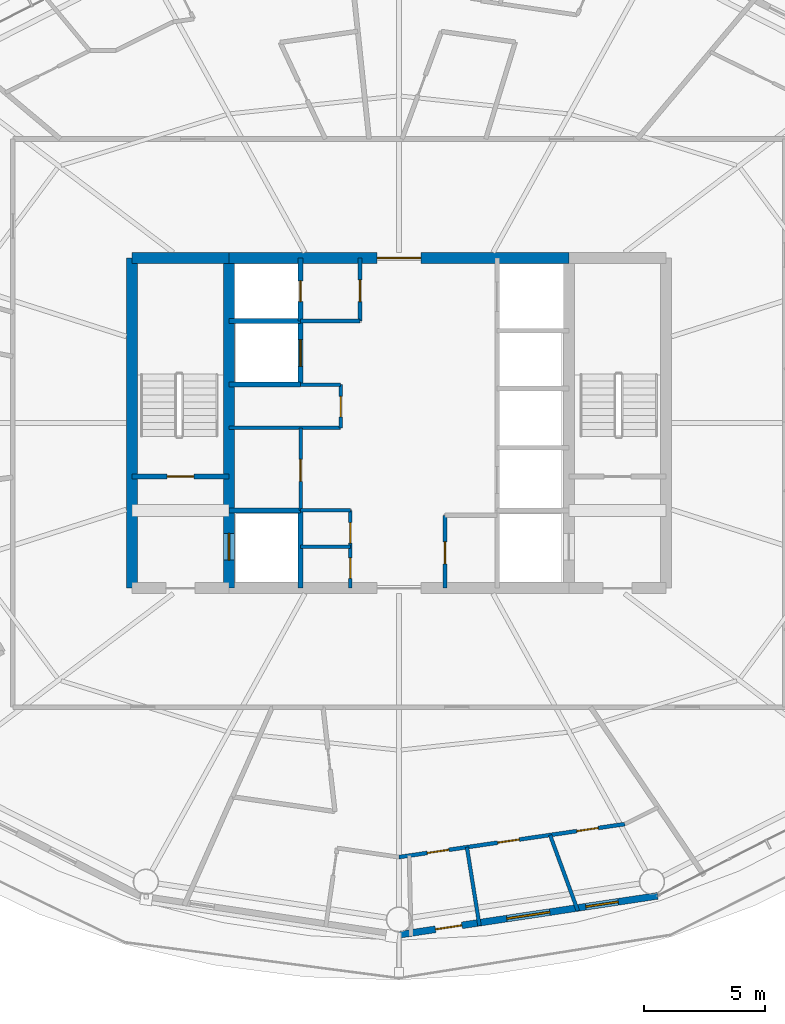
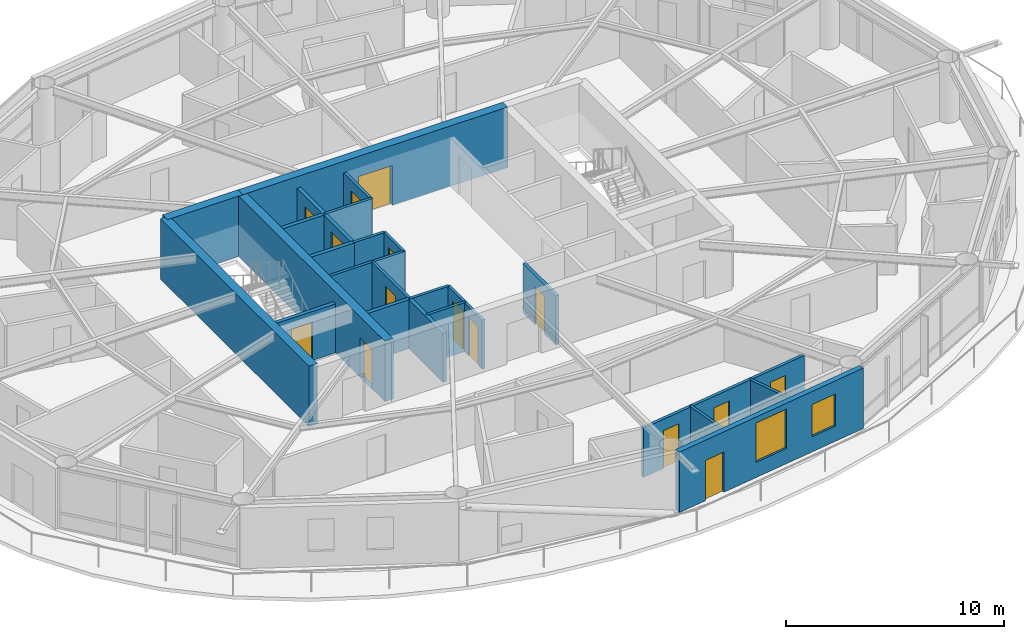
# One storey, part 21 of 28: 25 walls, 15 doors, 2 windows, 17 openings.
"""IFC4 building model written with IfcOpenShell, lengths in metres."""

from ifc_helpers import new_model, si_unit, direction, frame, frame_2d, origin, place, context, subcontext, project, spatial, rectangle, extrude, material, layer, layer_set, type_object, element, fill, save


model = new_model("IFC4")

# Units and contexts
model_context = context("Model", 3, precision=1e-05, world=origin(), true_north=direction((0.0, 1.0)))
body_context = subcontext(model_context, "Body", "Model", "MODEL_VIEW")
ifc_project = project(units=[si_unit("LENGTHUNIT", "METRE"), si_unit("AREAUNIT", "SQUARE_METRE"), si_unit("VOLUMEUNIT", "CUBIC_METRE"), si_unit("PLANEANGLEUNIT", "RADIAN"), si_unit("MASSUNIT", "GRAM", prefix="KILO")], contexts=[model_context])

# Site, building, storey
site_placement = place(None, origin())
site = spatial("IfcSite", under=ifc_project, at=site_placement, CompositionType="ELEMENT")
building_placement = place(site_placement, origin())
building = spatial("IfcBuilding", under=site, at=building_placement, Name="Sarneth Arch Tower", CompositionType="ELEMENT")
storey_placement = place(building_placement, frame((0.0, 0.0, 172.199951171875)))
storey = spatial("IfcBuildingStorey", under=building, at=storey_placement, Name="L43", CompositionType="ELEMENT", Elevation=172.199951171875)

# Wall
ifc_material_1 = material(Name="Concrete C50/60", Category="concrete")
ifc_layer_1 = layer(ifc_material_1, 0.449951171875)
ifc_layer_set_1 = layer_set([ifc_layer_1], Name="Concrete C50/60")
wall_type_1 = type_object("IfcWallType", Name="WALL-CORE-450", PredefinedType="SHEAR", material=ifc_layer_set_1)
wall_1_placement = place(storey_placement, frame((37.0, 48.800048828125, 0.0), z_axis=(0.0, 0.0, 1.0), x_axis=(1.0, 0.0, 0.0)))
element("IfcWall", 1, at=wall_1_placement, inside=storey, type_object=wall_type_1, Name="L43 Core shear wall N-W", PredefinedType="SHEAR", context=body_context, shape_type="SweptSolid", body=[
    extrude(rectangle(XDim=4.0, YDim=0.449951171875, at=frame_2d((2.0, 0.0))), origin(), (0.0, 0.0, 1.0), 3.380126953125),
])

# Wall, opening, door
wall_2_placement = place(storey_placement, frame((41.0, 48.800048828125, 0.0), z_axis=(0.0, 0.0, 1.0), x_axis=(1.0, 0.0, 0.0)))
wall_2 = element("IfcWall", 2, at=wall_2_placement, inside=storey, type_object=wall_type_1, Name="L43 Core shear wall N-M", PredefinedType="SHEAR", context=body_context, shape_type="SweptSolid", body=[
    extrude(rectangle(XDim=14.0, YDim=0.449951171875, at=frame_2d((7.0, 0.0))), origin(), (0.0, 0.0, 1.0), 3.380126953125),
])
opening_1_placement = place(wall_2_placement, frame((6.10009765625, 0.0, 0.0)))
opening_1 = element("IfcOpeningElement", 3, at=opening_1_placement, cuts=wall_2, Name="Opening FD-01", PredefinedType="OPENING", context=body_context, shape_type="SweptSolid", body=[
    extrude(rectangle(XDim=1.800048828125, YDim=2.25, at=frame_2d((0.89990234375, 1.125))), frame((0.0, 0.23486328125, 0.0), z_axis=(0.0, -1.0, 0.0), x_axis=(1.0, 0.0, 0.0)), (0.0, 0.0, 1.0), 0.469970703125),
])
ifc_material_2 = material(Name="Galvanised Steel S275 fire door set", Category="steel")
door_type_1 = type_object("IfcDoorType", Name="DR-FD90-1800", OperationType="DOUBLE_DOOR_SINGLE_SWING", PredefinedType="DOOR", material=ifc_material_2)
door_1_placement = place(opening_1_placement, origin())
door_1 = element("IfcDoor", 4, at=door_1_placement, inside=storey, type_object=door_type_1, Name="L43 Central lift lobby north door", OperationType="DOUBLE_DOOR_SINGLE_SWING", OverallHeight=2.25, OverallWidth=1.800048828125, PredefinedType="DOOR", context=body_context, shape_type="SweptSolid", body=[
    extrude(rectangle(XDim=1.800048828125, YDim=2.25, at=frame_2d((0.89990234375, 1.125))), frame((0.0, 0.02490234375, 0.0), z_axis=(0.0, -1.0, 0.0), x_axis=(1.0, 0.0, 0.0)), (0.0, 0.0, 1.0), 0.050048828125),
])
fill(opening_1, door_1)

# Wall
wall_3_placement = place(storey_placement, frame((37.0, 35.199951171875, 0.0), z_axis=(0.0, 0.0, 1.0), x_axis=(0.0, 1.0, 0.0)))
element("IfcWall", 5, at=wall_3_placement, inside=storey, type_object=wall_type_1, Name="L43 Core shear wall W", PredefinedType="SHEAR", context=body_context, shape_type="SweptSolid", body=[
    extrude(rectangle(XDim=13.60009765625, YDim=0.449951171875, at=frame_2d((6.800048828125, 0.0))), origin(), (0.0, 0.0, 1.0), 3.380126953125),
])

# Wall, opening, door
wall_4_placement = place(storey_placement, frame((41.0, 35.199951171875, 0.0), z_axis=(0.0, 0.0, 1.0), x_axis=(0.0, 1.0, 0.0)))
wall_4 = element("IfcWall", 6, at=wall_4_placement, inside=storey, type_object=wall_type_1, Name="L43 Core shear wall WEB-W", PredefinedType="SHEAR", context=body_context, shape_type="SweptSolid", body=[
    extrude(rectangle(XDim=13.60009765625, YDim=0.449951171875, at=frame_2d((6.800048828125, 0.0))), origin(), (0.0, 0.0, 1.0), 3.380126953125),
])
opening_2_placement = place(wall_4_placement, frame((1.14990234375, 0.0, 0.0)))
opening_2 = element("IfcOpeningElement", 7, at=opening_2_placement, cuts=wall_4, Name="Opening LD-1", PredefinedType="OPENING", context=body_context, shape_type="SweptSolid", body=[
    extrude(rectangle(XDim=1.10009765625, YDim=2.199951171875, at=frame_2d((0.550048828125, 1.10009765625))), frame((0.0, 0.23486328125, 0.0), z_axis=(0.0, -1.0, 0.0), x_axis=(1.0, 0.0, 0.0)), (0.0, 0.0, 1.0), 0.469970703125),
])
ifc_material_3 = material(Name="Brushed Stainless Steel 304 lift landing door", Category="steel")
door_type_2 = type_object("IfcDoorType", Name="DR-LIFT-SLIDE-1100", OperationType="SLIDING_TO_LEFT", PredefinedType="DOOR", material=ifc_material_3)
door_2_placement = place(opening_2_placement, origin())
door_2 = element("IfcDoor", 8, at=door_2_placement, inside=storey, type_object=door_type_2, Name="L43 Firefighting lift landing door FL-1", OperationType="SLIDING_TO_LEFT", OverallHeight=2.199951171875, OverallWidth=1.10009765625, PredefinedType="DOOR", context=body_context, shape_type="SweptSolid", body=[
    extrude(rectangle(XDim=1.10009765625, YDim=2.199951171875, at=frame_2d((0.550048828125, 1.10009765625))), frame((0.0, 0.02490234375, 0.0), z_axis=(0.0, -1.0, 0.0), x_axis=(1.0, 0.0, 0.0)), (0.0, 0.0, 1.0), 0.050048828125),
])
fill(opening_2, door_2)

# Wall, openings, door, windows
ifc_material_4 = material(Name="Extruded terracotta rainscreen on Concrete C40/50 backing", Category="masonry")
ifc_layer_2 = layer(ifc_material_4, 0.280029296875)
ifc_layer_set_2 = layer_set([ifc_layer_2], Name="Extruded terracotta rainscreen on Concrete C40/50 backing")
wall_type_2 = type_object("IfcWallType", Name="WALL-EXT-TERRA-280", PredefinedType="SOLIDWALL", material=ifc_layer_set_2)
wall_5_placement = place(storey_placement, frame((48.0, 20.919921875, 0.0), z_axis=(0.0, 0.0, 1.0), x_axis=(0.988863993413, 0.148822049884, 0.0)))
wall_5 = element("IfcWall", 9, at=wall_5_placement, inside=storey, type_object=wall_type_2, Name="L43 Terracotta perimeter wall 13", PredefinedType="SOLIDWALL", context=body_context, shape_type="SweptSolid", body=[
    extrude(rectangle(XDim=10.782958984375, YDim=0.280029296875, at=frame_2d((5.3916015625, 0.0))), origin(), (0.0, 0.0, 1.0), 3.380126953125),
])
opening_3_placement = place(wall_5_placement, frame((1.523681640625, 0.0, 0.0)))
opening_3 = element("IfcOpeningElement", 10, at=opening_3_placement, cuts=wall_5, Name="Opening BD-3", PredefinedType="OPENING", context=body_context, shape_type="SweptSolid", body=[
    extrude(rectangle(XDim=1.10009765625, YDim=2.25, at=frame_2d((0.550048828125, 1.125))), frame((0.0, 0.14990234375, 0.0), z_axis=(0.0, -1.0, 0.0), x_axis=(1.0, 0.0, 0.0)), (0.0, 0.0, 1.0), 0.300048828125),
])
opening_4_placement = place(wall_5_placement, frame((4.487060546875, 0.0, 0.85009765625)))
opening_4 = element("IfcOpeningElement", 11, at=opening_4_placement, cuts=wall_5, Name="Opening W-04", PredefinedType="OPENING", context=body_context, shape_type="SweptSolid", body=[
    extrude(rectangle(XDim=1.800048828125, YDim=2.199951171875, at=frame_2d((0.89990234375, 1.10009765625))), frame((0.0, 0.14990234375, 0.0), z_axis=(0.0, -1.0, 0.0), x_axis=(1.0, 0.0, 0.0)), (0.0, 0.0, 1.0), 0.300048828125),
])
opening_5_placement = place(wall_5_placement, frame((7.783203125, 0.0, 0.85009765625)))
opening_5 = element("IfcOpeningElement", 12, at=opening_5_placement, cuts=wall_5, Name="Opening W-08", PredefinedType="OPENING", context=body_context, shape_type="SweptSolid", body=[
    extrude(rectangle(XDim=1.35009765625, YDim=1.800048828125, at=frame_2d((0.675048828125, 0.89990234375))), frame((0.0, 0.14990234375, 0.0), z_axis=(0.0, -1.0, 0.0), x_axis=(1.0, 0.0, 0.0)), (0.0, 0.0, 1.0), 0.300048828125),
])
ifc_material_5 = material(Name="Thermally broken Aluminium 6063-T6 and laminated safety glass", Category="aluminium")
door_type_3 = type_object("IfcDoorType", Name="DR-BALC-GLZ-1100", OperationType="SINGLE_SWING_LEFT", PredefinedType="DOOR", material=ifc_material_5)
door_3_placement = place(opening_3_placement, origin())
door_3 = element("IfcDoor", 13, at=door_3_placement, inside=storey, type_object=door_type_3, Name="L43 Balcony glazed door 13", OperationType="SINGLE_SWING_LEFT", OverallHeight=2.25, OverallWidth=1.10009765625, PredefinedType="DOOR", context=body_context, shape_type="SweptSolid", body=[
    extrude(rectangle(XDim=1.10009765625, YDim=2.25, at=frame_2d((0.550048828125, 1.125))), frame((0.0, 0.02490234375, 0.0), z_axis=(0.0, -1.0, 0.0), x_axis=(1.0, 0.0, 0.0)), (0.0, 0.0, 1.0), 0.050048828125),
])
fill(opening_3, door_3)
ifc_material_6 = material(Name="Thermally broken Aluminium 6063-T6 and low-e laminated IGU", Category="aluminium")
window_type_1 = type_object("IfcWindowType", Name="WIN-TWR-1350x1800", PartitioningType="SINGLE_PANEL", PredefinedType="WINDOW", material=ifc_material_6)
window_1_placement = place(opening_5_placement, origin())
window_1 = element("IfcWindow", 14, at=window_1_placement, inside=storey, type_object=window_type_1, Name="L43 Exterior window 13B", OverallHeight=1.800048828125, OverallWidth=1.35009765625, PartitioningType="SINGLE_PANEL", PredefinedType="WINDOW", context=body_context, shape_type="SweptSolid", body=[
    extrude(rectangle(XDim=1.35009765625, YDim=1.800048828125, at=frame_2d((0.675048828125, 0.89990234375))), frame((0.0, 0.030029296875, 0.0), z_axis=(0.0, -1.0, 0.0), x_axis=(1.0, 0.0, 0.0)), (0.0, 0.0, 1.0), 0.06005859375),
])
fill(opening_5, window_1)
ifc_material_7 = material(Name="Thermally broken Aluminium 6063-T6 and low-e laminated IGU", Category="aluminium")
window_type_2 = type_object("IfcWindowType", Name="WIN-TWR-1800x2200", PartitioningType="DOUBLE_PANEL_VERTICAL", PredefinedType="WINDOW", material=ifc_material_7)
window_2_placement = place(opening_4_placement, origin())
window_2 = element("IfcWindow", 15, at=window_2_placement, inside=storey, type_object=window_type_2, Name="L43 Exterior window 13A", OverallHeight=2.199951171875, OverallWidth=1.800048828125, PartitioningType="SINGLE_PANEL", PredefinedType="WINDOW", context=body_context, shape_type="SweptSolid", body=[
    extrude(rectangle(XDim=1.800048828125, YDim=2.199951171875, at=frame_2d((0.89990234375, 1.10009765625))), frame((0.0, 0.030029296875, 0.0), z_axis=(0.0, -1.0, 0.0), x_axis=(1.0, 0.0, 0.0)), (0.0, 0.0, 1.0), 0.06005859375),
])
fill(opening_4, window_2)

# Wall, opening, door
ifc_material_8 = material(Name="Acoustic gypsum stud partition", Category="gypsum")
ifc_layer_3 = layer(ifc_material_8, 0.14990234375)
ifc_layer_set_3 = layer_set([ifc_layer_3], Name="Acoustic gypsum stud partition")
wall_type_3 = type_object("IfcWallType", Name="WALL-PART-150", PredefinedType="PARTITIONING", material=ifc_layer_set_3)
wall_6_placement = place(storey_placement, frame((43.949951171875, 38.39990234375, 0.0), z_axis=(0.0, 0.0, 1.0), x_axis=(0.0, 1.0, 0.0)))
wall_6 = element("IfcWall", 16, at=wall_6_placement, inside=storey, type_object=wall_type_3, Name="L43 Interior partition W-L43-RECPL-E1", PredefinedType="PARTITIONING", context=body_context, shape_type="SweptSolid", body=[
    extrude(rectangle(XDim=3.400146484375, YDim=0.14990234375, at=frame_2d((1.7001953125, 0.0))), origin(), (0.0, 0.0, 1.0), 2.739990234375),
])
opening_6_placement = place(wall_6_placement, frame((1.199951171875, 0.0, 0.0)))
opening_6 = element("IfcOpeningElement", 17, at=opening_6_placement, cuts=wall_6, Name="Opening FD-10", PredefinedType="OPENING", context=body_context, shape_type="SweptSolid", body=[
    extrude(rectangle(XDim=0.89990234375, YDim=2.14990234375, at=frame_2d((0.449951171875, 1.074951171875))), frame((0.0, 0.0849609375, 0.0), z_axis=(0.0, -1.0, 0.0), x_axis=(1.0, 0.0, 0.0)), (0.0, 0.0, 1.0), 0.169921875),
])
ifc_material_9 = material(Name="Galvanised Steel S275 riser/service fire door", Category="steel")
door_type_4 = type_object("IfcDoorType", Name="DR-FD60-900", OperationType="SINGLE_SWING_LEFT", PredefinedType="DOOR", material=ifc_material_9)
door_4_placement = place(opening_6_placement, origin())
door_4 = element("IfcDoor", 18, at=door_4_placement, inside=storey, type_object=door_type_4, Name="L43 Interior door DR-L43-RECPL1", OperationType="SINGLE_SWING_LEFT", OverallHeight=2.14990234375, OverallWidth=0.89990234375, PredefinedType="DOOR", context=body_context, shape_type="SweptSolid", body=[
    extrude(rectangle(XDim=0.89990234375, YDim=2.14990234375, at=frame_2d((0.449951171875, 1.074951171875))), frame((0.0, 0.02490234375, 0.0), z_axis=(0.0, -1.0, 0.0), x_axis=(1.0, 0.0, 0.0)), (0.0, 0.0, 1.0), 0.050048828125),
])
fill(opening_6, door_4)

# Walls
wall_7_placement = place(storey_placement, frame((41.0, 41.800048828125, 0.0), z_axis=(0.0, 0.0, 1.0), x_axis=(1.0, 0.0, 0.0)))
element("IfcWall", 19, at=wall_7_placement, inside=storey, type_object=wall_type_3, Name="L43 Interior partition W-L43-RECPL-S2", PredefinedType="PARTITIONING", context=body_context, shape_type="SweptSolid", body=[
    extrude(rectangle(XDim=4.60009765625, YDim=0.14990234375, at=frame_2d((2.300048828125, 0.0))), origin(), (0.0, 0.0, 1.0), 2.739990234375),
])
wall_8_placement = place(storey_placement, frame((43.949951171875, 43.580078125, 0.0), z_axis=(0.0, 0.0, 1.0), x_axis=(1.0, 0.0, 0.0)))
element("IfcWall", 20, at=wall_8_placement, inside=storey, type_object=wall_type_3, Name="L43 Interior partition W-L43-RECPL-N2", PredefinedType="PARTITIONING", context=body_context, shape_type="SweptSolid", body=[
    extrude(rectangle(XDim=1.650146484375, YDim=0.14990234375, at=frame_2d((0.8251953125, 0.0))), origin(), (0.0, 0.0, 1.0), 2.739990234375),
])

# Wall, opening, door
wall_9_placement = place(storey_placement, frame((45.60009765625, 41.800048828125, 0.0), z_axis=(0.0, 0.0, 1.0), x_axis=(0.0, 1.0, 0.0)))
wall_9 = element("IfcWall", 21, at=wall_9_placement, inside=storey, type_object=wall_type_3, Name="L43 Interior partition W-L43-RECPL-E2", PredefinedType="PARTITIONING", context=body_context, shape_type="SweptSolid", body=[
    extrude(rectangle(XDim=1.780029296875, YDim=0.14990234375, at=frame_2d((0.89013671875, 0.0))), origin(), (0.0, 0.0, 1.0), 2.739990234375),
])
opening_7_placement = place(wall_9_placement, frame((0.449951171875, 0.0, 0.0)))
opening_7 = element("IfcOpeningElement", 22, at=opening_7_placement, cuts=wall_9, Name="Opening FD-11", PredefinedType="OPENING", context=body_context, shape_type="SweptSolid", body=[
    extrude(rectangle(XDim=0.85009765625, YDim=2.14990234375, at=frame_2d((0.425048828125, 1.074951171875))), frame((0.0, 0.0849609375, 0.0), z_axis=(0.0, -1.0, 0.0), x_axis=(1.0, 0.0, 0.0)), (0.0, 0.0, 1.0), 0.169921875),
])
ifc_material_10 = material(Name="Galvanised Steel S275 closet fire door", Category="steel")
door_type_5 = type_object("IfcDoorType", Name="DR-FD60-850", OperationType="SINGLE_SWING_LEFT", PredefinedType="DOOR", material=ifc_material_10)
door_5_placement = place(opening_7_placement, origin())
door_5 = element("IfcDoor", 23, at=door_5_placement, inside=storey, type_object=door_type_5, Name="L43 Interior door DR-L43-RECPL2", OperationType="SINGLE_SWING_RIGHT", OverallHeight=2.14990234375, OverallWidth=0.85009765625, PredefinedType="DOOR", context=body_context, shape_type="SweptSolid", body=[
    extrude(rectangle(XDim=0.85009765625, YDim=2.14990234375, at=frame_2d((0.425048828125, 1.074951171875))), frame((0.0, 0.02490234375, 0.0), z_axis=(0.0, -1.0, 0.0), x_axis=(1.0, 0.0, 0.0)), (0.0, 0.0, 1.0), 0.050048828125),
])
fill(opening_7, door_5)

# Walls
for number, where, z_axis, x_axis, name in (
    (24, (43.949951171875, 36.89990234375, 0.0), (0.0, 0.0, 1.0), (1.0, 0.0, 0.0), "L43 Interior partition W-L43-CSUP-M"),
    (25, (43.949951171875, 38.39990234375, 0.0), (0.0, 0.0, 1.0), (1.0, 0.0, 0.0), "L43 Interior partition W-L43-CSUP-N"),
):
    element("IfcWall", number, at=place(storey_placement, frame(where, z_axis=z_axis, x_axis=x_axis)), inside=storey, type_object=wall_type_3, Name=name, PredefinedType="PARTITIONING", context=body_context, shape_type="SweptSolid", body=[
        extrude(rectangle(XDim=2.050048828125, YDim=0.14990234375, at=frame_2d((1.02490234375, 0.0))), origin(), (0.0, 0.0, 1.0), 2.739990234375),
    ])

# Wall, openings, doors
wall_10_placement = place(storey_placement, frame((46.0, 35.199951171875, 0.0), z_axis=(0.0, 0.0, 1.0), x_axis=(0.0, 1.0, 0.0)))
wall_10 = element("IfcWall", 26, at=wall_10_placement, inside=storey, type_object=wall_type_3, Name="L43 Interior partition W-L43-CSUP-E", PredefinedType="PARTITIONING", context=body_context, shape_type="SweptSolid", body=[
    extrude(rectangle(XDim=3.199951171875, YDim=0.14990234375, at=frame_2d((1.60009765625, 0.0))), origin(), (0.0, 0.0, 1.0), 2.739990234375),
])
opening_8_placement = place(wall_10_placement, frame((0.39990234375, 0.0, 0.0)))
opening_8 = element("IfcOpeningElement", 27, at=opening_8_placement, cuts=wall_10, Name="Opening FD-11", PredefinedType="OPENING", context=body_context, shape_type="SweptSolid", body=[
    extrude(rectangle(XDim=0.85009765625, YDim=2.14990234375, at=frame_2d((0.425048828125, 1.074951171875))), frame((0.0, 0.0849609375, 0.0), z_axis=(0.0, -1.0, 0.0), x_axis=(1.0, 0.0, 0.0)), (0.0, 0.0, 1.0), 0.169921875),
])
opening_9_placement = place(wall_10_placement, frame((1.85009765625, 0.0, 0.0)))
opening_9 = element("IfcOpeningElement", 28, at=opening_9_placement, cuts=wall_10, Name="Opening FD-11", PredefinedType="OPENING", context=body_context, shape_type="SweptSolid", body=[
    extrude(rectangle(XDim=0.85009765625, YDim=2.14990234375, at=frame_2d((0.425048828125, 1.074951171875))), frame((0.0, 0.0849609375, 0.0), z_axis=(0.0, -1.0, 0.0), x_axis=(1.0, 0.0, 0.0)), (0.0, 0.0, 1.0), 0.169921875),
])
door_6_placement = place(opening_8_placement, origin())
door_6 = element("IfcDoor", 29, at=door_6_placement, inside=storey, type_object=door_type_5, Name="L43 Interior door DR-L43-CSUP1", OperationType="SINGLE_SWING_LEFT", OverallHeight=2.14990234375, OverallWidth=0.85009765625, PredefinedType="DOOR", context=body_context, shape_type="SweptSolid", body=[
    extrude(rectangle(XDim=0.85009765625, YDim=2.14990234375, at=frame_2d((0.425048828125, 1.074951171875))), frame((0.0, 0.02490234375, 0.0), z_axis=(0.0, -1.0, 0.0), x_axis=(1.0, 0.0, 0.0)), (0.0, 0.0, 1.0), 0.050048828125),
])
fill(opening_8, door_6)
door_7_placement = place(opening_9_placement, origin())
door_7 = element("IfcDoor", 30, at=door_7_placement, inside=storey, type_object=door_type_5, Name="L43 Interior door DR-L43-CSUP2", OperationType="SINGLE_SWING_RIGHT", OverallHeight=2.14990234375, OverallWidth=0.85009765625, PredefinedType="DOOR", context=body_context, shape_type="SweptSolid", body=[
    extrude(rectangle(XDim=0.85009765625, YDim=2.14990234375, at=frame_2d((0.425048828125, 1.074951171875))), frame((0.0, 0.02490234375, 0.0), z_axis=(0.0, -1.0, 0.0), x_axis=(1.0, 0.0, 0.0)), (0.0, 0.0, 1.0), 0.050048828125),
])
fill(opening_9, door_7)

# Wall
wall_11_placement = place(storey_placement, frame((43.949951171875, 46.199951171875, 0.0), z_axis=(0.0, 0.0, 1.0), x_axis=(1.0, 0.0, 0.0)))
element("IfcWall", 31, at=wall_11_placement, inside=storey, type_object=wall_type_3, Name="L43 Interior partition W-L43-CSUP3-S", PredefinedType="PARTITIONING", context=body_context, shape_type="SweptSolid", body=[
    extrude(rectangle(XDim=2.449951171875, YDim=0.14990234375, at=frame_2d((1.22509765625, 0.0))), origin(), (0.0, 0.0, 1.0), 2.739990234375),
])

# Wall, opening, door
wall_12_placement = place(storey_placement, frame((46.39990234375, 46.199951171875, 0.0), z_axis=(0.0, 0.0, 1.0), x_axis=(0.0, 1.0, 0.0)))
wall_12 = element("IfcWall", 32, at=wall_12_placement, inside=storey, type_object=wall_type_3, Name="L43 Interior partition W-L43-CSUP3-E", PredefinedType="PARTITIONING", context=body_context, shape_type="SweptSolid", body=[
    extrude(rectangle(XDim=2.60009765625, YDim=0.14990234375, at=frame_2d((1.300048828125, 0.0))), origin(), (0.0, 0.0, 1.0), 2.739990234375),
])
opening_10_placement = place(wall_12_placement, frame((0.800048828125, 0.0, 0.0)))
opening_10 = element("IfcOpeningElement", 33, at=opening_10_placement, cuts=wall_12, Name="Opening FD-10", PredefinedType="OPENING", context=body_context, shape_type="SweptSolid", body=[
    extrude(rectangle(XDim=0.89990234375, YDim=2.14990234375, at=frame_2d((0.449951171875, 1.074951171875))), frame((0.0, 0.0849609375, 0.0), z_axis=(0.0, -1.0, 0.0), x_axis=(1.0, 0.0, 0.0)), (0.0, 0.0, 1.0), 0.169921875),
])
door_8_placement = place(opening_10_placement, origin())
door_8 = element("IfcDoor", 34, at=door_8_placement, inside=storey, type_object=door_type_4, Name="L43 Interior door DR-L43-CSUP3", OperationType="SINGLE_SWING_LEFT", OverallHeight=2.14990234375, OverallWidth=0.89990234375, PredefinedType="DOOR", context=body_context, shape_type="SweptSolid", body=[
    extrude(rectangle(XDim=0.89990234375, YDim=2.14990234375, at=frame_2d((0.449951171875, 1.074951171875))), frame((0.0, 0.02490234375, 0.0), z_axis=(0.0, -1.0, 0.0), x_axis=(1.0, 0.0, 0.0)), (0.0, 0.0, 1.0), 0.050048828125),
])
fill(opening_10, door_8)

# Walls
wall_13_placement = place(storey_placement, frame((55.3701171875, 21.91015625, 0.0), z_axis=(0.0, 0.0, 1.0), x_axis=(-0.344425148523, 0.938813781889, 0.0)))
element("IfcWall", 35, at=wall_13_placement, inside=storey, type_object=wall_type_3, Name="L43 Interior partition W-L43-TP-097", PredefinedType="PARTITIONING", context=body_context, shape_type="SweptSolid", body=[
    extrude(rectangle(XDim=3.32373046875, YDim=0.14990234375, at=frame_2d((1.661865234375, 0.0))), origin(), (0.0, 0.0, 1.0), 2.739990234375),
])
wall_14_placement = place(storey_placement, frame((51.3193359375, 21.298095703125, 0.0), z_axis=(0.0, 0.0, 1.0), x_axis=(-0.158287238469, 0.987393108209, 0.0)))
element("IfcWall", 36, at=wall_14_placement, inside=storey, type_object=wall_type_3, Name="L43 Interior partition W-L43-TP-096", PredefinedType="PARTITIONING", context=body_context, shape_type="SweptSolid", body=[
    extrude(rectangle(XDim=3.27294921875, YDim=0.14990234375, at=frame_2d((1.636474609375, 0.0))), origin(), (0.0, 0.0, 1.0), 2.739990234375),
])

# Wall, openings, doors
ifc_material_11 = material(Name="Kitchen wet service chase wall", Category="gypsum")
ifc_layer_4 = layer(ifc_material_11, 0.159912109375)
ifc_layer_set_4 = layer_set([ifc_layer_4], Name="Kitchen wet service chase wall")
wall_type_4 = type_object("IfcWallType", Name="WALL-PLUMB-160", PredefinedType="PLUMBINGWALL", material=ifc_layer_set_4)
wall_15_placement = place(storey_placement, frame((57.30517578125, 25.481201171875, 0.0), z_axis=(0.0, 0.0, 1.0), x_axis=(-0.989470950226, -0.144731609055, 0.0)))
wall_15 = element("IfcWall", 37, at=wall_15_placement, inside=storey, type_object=wall_type_4, Name="L43 Interior partition W-L43-TP-091", PredefinedType="PLUMBINGWALL", context=body_context, shape_type="SweptSolid", body=[
    extrude(rectangle(XDim=9.404296875, YDim=0.159912109375, at=frame_2d((4.7021484375, 0.0))), origin(), (0.0, 0.0, 1.0), 2.739990234375),
])
opening_11_placement = place(wall_15_placement, frame((4.392578125, 0.0, 0.0)))
opening_11 = element("IfcOpeningElement", 38, at=opening_11_placement, cuts=wall_15, Name="Opening ID-01", PredefinedType="OPENING", context=body_context, shape_type="SweptSolid", body=[
    extrude(rectangle(XDim=0.89990234375, YDim=2.10009765625, at=frame_2d((0.449951171875, 1.050048828125))), frame((0.0, 0.08984375, 0.0), z_axis=(0.0, -1.0, 0.0), x_axis=(1.0, 0.0, 0.0)), (0.0, 0.0, 1.0), 0.179931640625),
])
opening_12_placement = place(wall_15_placement, frame((1.106201171875, 0.0, 0.0)))
opening_12 = element("IfcOpeningElement", 39, at=opening_12_placement, cuts=wall_15, Name="Opening ID-01", PredefinedType="OPENING", context=body_context, shape_type="SweptSolid", body=[
    extrude(rectangle(XDim=0.89990234375, YDim=2.10009765625, at=frame_2d((0.449951171875, 1.050048828125))), frame((0.0, 0.08984375, 0.0), z_axis=(0.0, -1.0, 0.0), x_axis=(1.0, 0.0, 0.0)), (0.0, 0.0, 1.0), 0.179931640625),
])
opening_13_placement = place(wall_15_placement, frame((7.324951171875, 0.0, 0.0)))
opening_13 = element("IfcOpeningElement", 40, at=opening_13_placement, cuts=wall_15, Name="Opening ID-01", PredefinedType="OPENING", context=body_context, shape_type="SweptSolid", body=[
    extrude(rectangle(XDim=0.89990234375, YDim=2.10009765625, at=frame_2d((0.449951171875, 1.050048828125))), frame((0.0, 0.08984375, 0.0), z_axis=(0.0, -1.0, 0.0), x_axis=(1.0, 0.0, 0.0)), (0.0, 0.0, 1.0), 0.179931640625),
])
ifc_material_12 = material(Name="Engineered hardwood flush door", Category="wood")
door_type_6 = type_object("IfcDoorType", Name="DR-INT-900", OperationType="SINGLE_SWING_LEFT", PredefinedType="DOOR", material=ifc_material_12)
door_9_placement = place(opening_11_placement, origin())
door_9 = element("IfcDoor", 41, at=door_9_placement, inside=storey, type_object=door_type_6, Name="L43 Interior door DR-L43-U6-BED2", OperationType="SINGLE_SWING_LEFT", OverallHeight=2.10009765625, OverallWidth=0.89990234375, PredefinedType="DOOR", context=body_context, shape_type="SweptSolid", body=[
    extrude(rectangle(XDim=0.89990234375, YDim=2.10009765625, at=frame_2d((0.449951171875, 1.050048828125))), frame((0.0, 0.02490234375, 0.0), z_axis=(0.0, -1.0, 0.0), x_axis=(1.0, 0.0, 0.0)), (0.0, 0.0, 1.0), 0.050048828125),
])
fill(opening_11, door_9)
door_10_placement = place(opening_12_placement, origin())
door_10 = element("IfcDoor", 42, at=door_10_placement, inside=storey, type_object=door_type_6, Name="L43 Interior door DR-L43-U6-BED3", OperationType="SINGLE_SWING_RIGHT", OverallHeight=2.10009765625, OverallWidth=0.89990234375, PredefinedType="DOOR", context=body_context, shape_type="SweptSolid", body=[
    extrude(rectangle(XDim=0.89990234375, YDim=2.10009765625, at=frame_2d((0.449951171875, 1.050048828125))), frame((0.0, 0.02490234375, 0.0), z_axis=(0.0, -1.0, 0.0), x_axis=(1.0, 0.0, 0.0)), (0.0, 0.0, 1.0), 0.050048828125),
])
fill(opening_12, door_10)
door_11_placement = place(opening_13_placement, origin())
door_11 = element("IfcDoor", 43, at=door_11_placement, inside=storey, type_object=door_type_6, Name="L43 Interior door DR-L43-U6-BED1", OperationType="SINGLE_SWING_RIGHT", OverallHeight=2.10009765625, OverallWidth=0.89990234375, PredefinedType="DOOR", context=body_context, shape_type="SweptSolid", body=[
    extrude(rectangle(XDim=0.89990234375, YDim=2.10009765625, at=frame_2d((0.449951171875, 1.050048828125))), frame((0.0, 0.02490234375, 0.0), z_axis=(0.0, -1.0, 0.0), x_axis=(1.0, 0.0, 0.0)), (0.0, 0.0, 1.0), 0.050048828125),
])
fill(opening_13, door_11)

# Wall, opening, door
ifc_material_13 = material(Name="Moisture-resistant plumbing chase wall", Category="gypsum")
ifc_layer_5 = layer(ifc_material_13, 0.179931640625)
ifc_layer_set_5 = layer_set([ifc_layer_5], Name="Moisture-resistant plumbing chase wall")
wall_type_5 = type_object("IfcWallType", Name="WALL-PLUMB-180", PredefinedType="PLUMBINGWALL", material=ifc_layer_set_5)
wall_16_placement = place(storey_placement, frame((49.89990234375, 35.199951171875, 0.0), z_axis=(0.0, 0.0, 1.0), x_axis=(0.0, 1.0, 0.0)))
wall_16 = element("IfcWall", 44, at=wall_16_placement, inside=storey, type_object=wall_type_5, Name="L43 Interior partition W-L43-AWC-W", PredefinedType="PLUMBINGWALL", context=body_context, shape_type="SweptSolid", body=[
    extrude(rectangle(XDim=3.0, YDim=0.179931640625, at=frame_2d((1.5, 0.0))), origin(), (0.0, 0.0, 1.0), 2.739990234375),
])
opening_14_placement = place(wall_16_placement, frame((1.0, 0.0, 0.0)))
opening_14 = element("IfcOpeningElement", 45, at=opening_14_placement, cuts=wall_16, Name="Opening ID-01", PredefinedType="OPENING", context=body_context, shape_type="SweptSolid", body=[
    extrude(rectangle(XDim=0.89990234375, YDim=2.10009765625, at=frame_2d((0.449951171875, 1.050048828125))), frame((0.0, 0.099853515625, 0.0), z_axis=(0.0, -1.0, 0.0), x_axis=(1.0, 0.0, 0.0)), (0.0, 0.0, 1.0), 0.199951171875),
])
door_12_placement = place(opening_14_placement, origin())
door_12 = element("IfcDoor", 46, at=door_12_placement, inside=storey, type_object=door_type_6, Name="L43 Interior door DR-L43-AWC", OperationType="SINGLE_SWING_RIGHT", OverallHeight=2.10009765625, OverallWidth=0.89990234375, PredefinedType="DOOR", context=body_context, shape_type="SweptSolid", body=[
    extrude(rectangle(XDim=0.89990234375, YDim=2.10009765625, at=frame_2d((0.449951171875, 1.050048828125))), frame((0.0, 0.02490234375, 0.0), z_axis=(0.0, -1.0, 0.0), x_axis=(1.0, 0.0, 0.0)), (0.0, 0.0, 1.0), 0.050048828125),
])
fill(opening_14, door_12)

ifc_material_14 = material(Name="Aerated concrete blockwork C25/30", Category="masonry")
ifc_layer_6 = layer(ifc_material_14, 0.199951171875)
ifc_layer_set_6 = layer_set([ifc_layer_6], Name="Aerated concrete blockwork C25/30")
wall_type_6 = type_object("IfcWallType", Name="WALL-SHAFT-200", PredefinedType="SOLIDWALL", material=ifc_layer_set_6)
wall_17_placement = place(storey_placement, frame((37.0, 39.800048828125, 0.0), z_axis=(0.0, 0.0, 1.0), x_axis=(1.0, 0.0, 0.0)))
wall_17 = element("IfcWall", 47, at=wall_17_placement, inside=storey, type_object=wall_type_6, Name="L43 Interior partition W-L43-ST1-S", PredefinedType="SOLIDWALL", context=body_context, shape_type="SweptSolid", body=[
    extrude(rectangle(XDim=4.0, YDim=0.199951171875, at=frame_2d((2.0, 0.0))), origin(), (0.0, 0.0, 1.0), 2.739990234375),
])
opening_15_placement = place(wall_17_placement, frame((1.449951171875, 0.0, 0.0)))
opening_15 = element("IfcOpeningElement", 48, at=opening_15_placement, cuts=wall_17, Name="Opening FD-03", PredefinedType="OPENING", context=body_context, shape_type="SweptSolid", body=[
    extrude(rectangle(XDim=1.10009765625, YDim=2.14990234375, at=frame_2d((0.550048828125, 1.074951171875))), frame((0.0, 0.10986328125, 0.0), z_axis=(0.0, -1.0, 0.0), x_axis=(1.0, 0.0, 0.0)), (0.0, 0.0, 1.0), 0.219970703125),
])
ifc_material_15 = material(Name="Galvanised Steel S275 fire door set", Category="steel")
door_type_7 = type_object("IfcDoorType", Name="DR-FD90-1100", OperationType="SINGLE_SWING_LEFT", PredefinedType="DOOR", material=ifc_material_15)
door_13_placement = place(opening_15_placement, origin())
door_13 = element("IfcDoor", 49, at=door_13_placement, inside=storey, type_object=door_type_7, Name="L43 Interior door DR-L43-ST1", OperationType="SINGLE_SWING_LEFT", OverallHeight=2.14990234375, OverallWidth=1.10009765625, PredefinedType="DOOR", context=body_context, shape_type="SweptSolid", body=[
    extrude(rectangle(XDim=1.10009765625, YDim=2.14990234375, at=frame_2d((0.550048828125, 1.074951171875))), frame((0.0, 0.02490234375, 0.0), z_axis=(0.0, -1.0, 0.0), x_axis=(1.0, 0.0, 0.0)), (0.0, 0.0, 1.0), 0.050048828125),
])
fill(opening_15, door_13)

# Walls
wall_18_placement = place(storey_placement, frame((43.949951171875, 35.199951171875, 0.0), z_axis=(0.0, 0.0, 1.0), x_axis=(0.0, 1.0, 0.0)))
element("IfcWall", 50, at=wall_18_placement, inside=storey, type_object=wall_type_6, Name="L43 Interior partition W-L43-FL1-E", PredefinedType="SOLIDWALL", context=body_context, shape_type="SweptSolid", body=[
    extrude(rectangle(XDim=3.199951171875, YDim=0.199951171875, at=frame_2d((1.60009765625, 0.0))), origin(), (0.0, 0.0, 1.0), 2.739990234375),
])
for number, where, z_axis, x_axis, name in (
    (51, (41.0, 38.39990234375, 0.0), (0.0, 0.0, 1.0), (1.0, 0.0, 0.0), "L43 Interior partition W-L43-FL1-N"),
    (52, (41.0, 46.199951171875, 0.0), (0.0, 0.0, 1.0), (1.0, 0.0, 0.0), "L43 Interior partition W-L43-RISER-S"),
):
    element("IfcWall", number, at=place(storey_placement, frame(where, z_axis=z_axis, x_axis=x_axis)), inside=storey, type_object=wall_type_6, Name=name, PredefinedType="SOLIDWALL", context=body_context, shape_type="SweptSolid", body=[
        extrude(rectangle(XDim=2.949951171875, YDim=0.199951171875, at=frame_2d((1.47509765625, 0.0))), origin(), (0.0, 0.0, 1.0), 2.739990234375),
    ])

# Wall, opening, door
wall_19_placement = place(storey_placement, frame((43.949951171875, 46.199951171875, 0.0), z_axis=(0.0, 0.0, 1.0), x_axis=(0.0, 1.0, 0.0)))
wall_19 = element("IfcWall", 53, at=wall_19_placement, inside=storey, type_object=wall_type_6, Name="L43 Interior partition W-L43-RISER-E", PredefinedType="SOLIDWALL", context=body_context, shape_type="SweptSolid", body=[
    extrude(rectangle(XDim=2.60009765625, YDim=0.199951171875, at=frame_2d((1.300048828125, 0.0))), origin(), (0.0, 0.0, 1.0), 2.739990234375),
])
opening_16_placement = place(wall_19_placement, frame((0.800048828125, 0.0, 0.0)))
opening_16 = element("IfcOpeningElement", 54, at=opening_16_placement, cuts=wall_19, Name="Opening FD-11", PredefinedType="OPENING", context=body_context, shape_type="SweptSolid", body=[
    extrude(rectangle(XDim=0.85009765625, YDim=2.14990234375, at=frame_2d((0.425048828125, 1.074951171875))), frame((0.0, 0.10986328125, 0.0), z_axis=(0.0, -1.0, 0.0), x_axis=(1.0, 0.0, 0.0)), (0.0, 0.0, 1.0), 0.219970703125),
])
door_14_placement = place(opening_16_placement, origin())
door_14 = element("IfcDoor", 55, at=door_14_placement, inside=storey, type_object=door_type_5, Name="L43 Lift landing door DR-L43-RISER", OperationType="SINGLE_SWING_LEFT", OverallHeight=2.14990234375, OverallWidth=0.85009765625, PredefinedType="DOOR", context=body_context, shape_type="SweptSolid", body=[
    extrude(rectangle(XDim=0.85009765625, YDim=2.14990234375, at=frame_2d((0.425048828125, 1.074951171875))), frame((0.0, 0.02490234375, 0.0), z_axis=(0.0, -1.0, 0.0), x_axis=(1.0, 0.0, 0.0)), (0.0, 0.0, 1.0), 0.050048828125),
])
fill(opening_16, door_14)

# Wall
wall_20_placement = place(storey_placement, frame((41.0, 43.580078125, 0.0), z_axis=(0.0, 0.0, 1.0), x_axis=(1.0, 0.0, 0.0)))
element("IfcWall", 56, at=wall_20_placement, inside=storey, type_object=wall_type_6, Name="L43 Interior partition W-L43-PM1-S", PredefinedType="SOLIDWALL", context=body_context, shape_type="SweptSolid", body=[
    extrude(rectangle(XDim=2.949951171875, YDim=0.199951171875, at=frame_2d((1.47509765625, 0.0))), origin(), (0.0, 0.0, 1.0), 2.739990234375),
])

# Wall, opening, door
wall_21_placement = place(storey_placement, frame((43.949951171875, 43.580078125, 0.0), z_axis=(0.0, 0.0, 1.0), x_axis=(0.0, 1.0, 0.0)))
wall_21 = element("IfcWall", 57, at=wall_21_placement, inside=storey, type_object=wall_type_6, Name="L43 Interior partition W-L43-PM1-FRONT", PredefinedType="SOLIDWALL", context=body_context, shape_type="SweptSolid", body=[
    extrude(rectangle(XDim=2.619873046875, YDim=0.199951171875, at=frame_2d((1.31005859375, 0.0))), origin(), (0.0, 0.0, 1.0), 2.739990234375),
])
opening_17_placement = place(wall_21_placement, frame((0.75, 0.0, 0.0)))
opening_17 = element("IfcOpeningElement", 58, at=opening_17_placement, cuts=wall_21, Name="Opening LD-1", PredefinedType="OPENING", context=body_context, shape_type="SweptSolid", body=[
    extrude(rectangle(XDim=1.10009765625, YDim=2.199951171875, at=frame_2d((0.550048828125, 1.10009765625))), frame((0.0, 0.10986328125, 0.0), z_axis=(0.0, -1.0, 0.0), x_axis=(1.0, 0.0, 0.0)), (0.0, 0.0, 1.0), 0.219970703125),
])
door_15_placement = place(opening_17_placement, origin())
door_15 = element("IfcDoor", 59, at=door_15_placement, inside=storey, type_object=door_type_2, Name="L43 Lift landing door DR-L43-LD-PM1", OperationType="SLIDING_TO_LEFT", OverallHeight=2.199951171875, OverallWidth=1.10009765625, PredefinedType="DOOR", context=body_context, shape_type="SweptSolid", body=[
    extrude(rectangle(XDim=1.10009765625, YDim=2.199951171875, at=frame_2d((0.550048828125, 1.10009765625))), frame((0.0, 0.02490234375, 0.0), z_axis=(0.0, -1.0, 0.0), x_axis=(1.0, 0.0, 0.0)), (0.0, 0.0, 1.0), 0.050048828125),
])
fill(opening_17, door_15)

save(model, "model.ifc")
